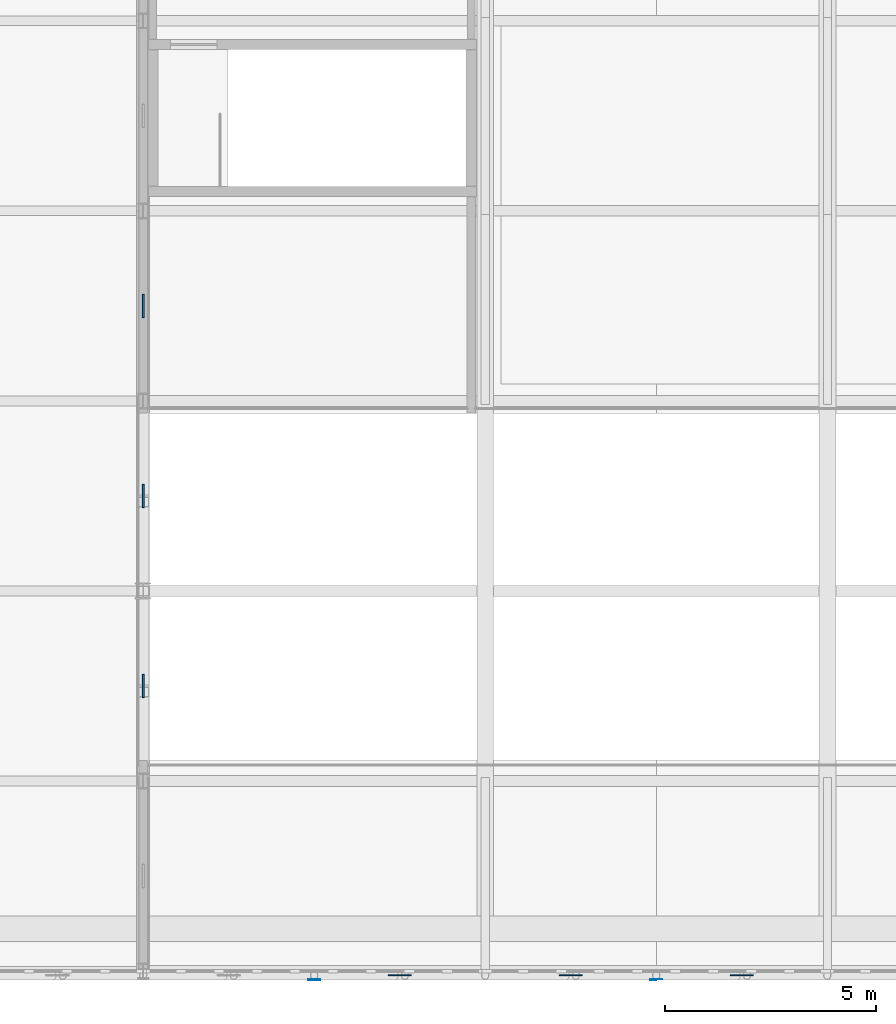
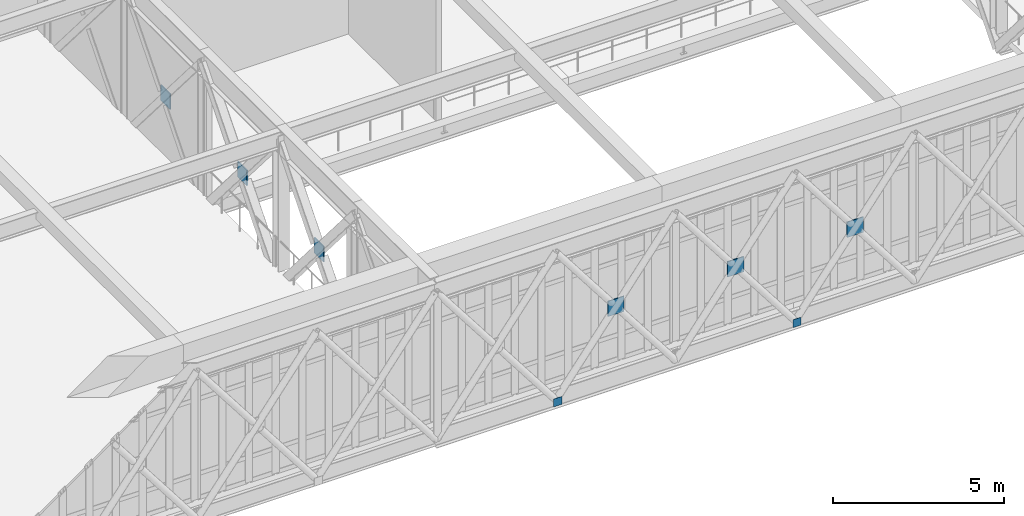
# One storey, part 52 of 70: 8 plates.
"""IFC4 building model written with IfcOpenShell, lengths in metres."""

import ifcopenshell
import ifcopenshell.guid

model = None  # the IFC model being written
_history = None  # IfcOwnerHistory: only IFC2X3 demands one
_inside = {}  # id of a spatial element -> (the spatial element, [elements in it])
_under = {}  # id of a project, library or spatial element -> (it, [spatial elements below it])
_declared = {}  # id of a project -> (the project, [libraries it declares])
_typed = {}  # id of a type object -> (the type object, [elements of that type])
_made_of = {}  # id of a material, layer set ... -> (it, [elements and type objects made of it])


def new_model(schema):
    """Start an empty IFC model of exactly this schema.

    Asked for "IFC4X3", IfcOpenShell would pick the latest addendum, in which some entities
    have other attributes; the version numbers below select the first issue.
    IFC2X3 requires an IfcOwnerHistory on every rooted entity: one is made here for all.
    """
    global model, _history
    if schema == "IFC4X3":
        model = ifcopenshell.file(schema_version=(4, 3, 0, 0))
    else:
        model = ifcopenshell.file(schema=schema)
    _inside.clear()
    _under.clear()
    _declared.clear()
    _typed.clear()
    _made_of.clear()
    _history = None
    if model.schema == "IFC2X3":
        org = make("IfcOrganization", Name="unknown")
        user = make(
            "IfcPersonAndOrganization",
            ThePerson=make("IfcPerson", FamilyName="unknown"),
            TheOrganization=org,
        )
        app = make(
            "IfcApplication",
            ApplicationDeveloper=org,
            Version="unknown",
            ApplicationFullName="unknown",
            ApplicationIdentifier="unknown",
        )
        _history = make(
            "IfcOwnerHistory",
            OwningUser=user,
            OwningApplication=app,
            ChangeAction="ADDED",
            CreationDate=0,
        )
    return model


def make(cls, **values):
    """One entity of the class cls with the attributes given. An attribute that is None is left unset."""
    return model.create_entity(
        cls, **{name: value for name, value in values.items() if value is not None}
    )


def rooted(cls, **values):
    """An entity with a GlobalId (a new one), such as an element, a storey or a relation."""
    return make(cls, GlobalId=ifcopenshell.guid.new(), OwnerHistory=_history, **values)


def si_unit(unit_type, name, prefix=None):
    """IfcSIUnit, for example si_unit("LENGTHUNIT", "METRE", prefix="MILLI")."""
    return make("IfcSIUnit", UnitType=unit_type, Prefix=prefix, Name=name)


def assignment(units):
    """IfcUnitAssignment: the units of a project."""
    return None if units is None else make("IfcUnitAssignment", Units=units)


def point(xyz):
    """IfcCartesianPoint."""
    return None if xyz is None else make("IfcCartesianPoint", Coordinates=xyz)


def direction(xyz):
    """IfcDirection."""
    return None if xyz is None else make("IfcDirection", DirectionRatios=xyz)


def frame(location, z_axis=None, x_axis=None):
    """IfcAxis2Placement3D, a coordinate frame: its origin and axes. An axis left out is left unset."""
    return make(
        "IfcAxis2Placement3D",
        Location=point(location),
        Axis=direction(z_axis),
        RefDirection=direction(x_axis),
    )


def frame_2d(location, x_axis=None):
    """IfcAxis2Placement2D, a coordinate frame in the plane: its origin and x axis."""
    return make(
        "IfcAxis2Placement2D", Location=point(location), RefDirection=direction(x_axis)
    )


def origin():
    """The frame at (0, 0, 0) with its axes left unset."""
    return frame((0.0, 0.0, 0.0))


def origin_2d():
    """The frame at (0, 0) in the plane with its x axis left unset."""
    return frame_2d((0.0, 0.0))


def place(relative_to, where):
    """IfcLocalPlacement: puts the frame where relative to a parent placement (None: the world)."""
    return make(
        "IfcLocalPlacement", PlacementRelTo=relative_to, RelativePlacement=where
    )


def context(
    kind, dimensions, precision=None, world=None, true_north=None, identifier=None
):
    """IfcGeometricRepresentationContext, for example the 3D "Model" context."""
    return make(
        "IfcGeometricRepresentationContext",
        ContextIdentifier=identifier,
        ContextType=kind,
        CoordinateSpaceDimension=dimensions,
        Precision=precision,
        WorldCoordinateSystem=world,
        TrueNorth=true_north,
    )


def subcontext(parent, identifier, kind, view, scale=None):
    """IfcGeometricRepresentationSubContext, for example "Body" below "Model"."""
    return make(
        "IfcGeometricRepresentationSubContext",
        ContextIdentifier=identifier,
        ContextType=kind,
        ParentContext=parent,
        TargetScale=scale,
        TargetView=view,
    )


def project(units=None, contexts=None):
    """IfcProject with its units and contexts."""
    return rooted(
        "IfcProject",
        Name="project",
        RepresentationContexts=contexts,
        UnitsInContext=assignment(units),
    )


def spatial(cls, under=None, at=None, **own):
    """A site, building, storey or space (cls), placed at a placement, below another one or the project."""
    s = rooted(cls, ObjectPlacement=at, **own)
    if under is not None:
        _under.setdefault(under.id(), (under, []))[1].append(s)
    return s


def profile(cls, at=None, kind="AREA", **sizes):
    """A parametric profile (cls). Its sizes go by their IFC names, for example OverallWidth=200.0."""
    return make(cls, ProfileType=kind, Position=at, **sizes)


def rectangle(**sizes):
    """IfcRectangleProfileDef."""
    return profile("IfcRectangleProfileDef", **sizes)


def extrude(swept, where, along, depth):
    """IfcExtrudedAreaSolid: the profile swept, set in the frame where, extruded along a direction by depth."""
    return make(
        "IfcExtrudedAreaSolid",
        SweptArea=swept,
        Position=where,
        ExtrudedDirection=direction(along),
        Depth=depth,
    )


def shape(context_of_items, identifier, shape_type, items):
    """IfcShapeRepresentation: the items that make up one representation, for example the "Body"."""
    return make(
        "IfcShapeRepresentation",
        ContextOfItems=context_of_items,
        RepresentationIdentifier=identifier,
        RepresentationType=shape_type,
        Items=items,
    )


def material(Name=None, Category=None):
    """IfcMaterial."""
    return make("IfcMaterial", Name=Name, Category=Category)


def layer(
    of_material, thickness, ventilated=None, Name=None, Category=None, Priority=None
):
    """IfcMaterialLayer: one layer of a wall or slab, of a material (None: an air gap)."""
    return make(
        "IfcMaterialLayer",
        Material=of_material,
        LayerThickness=thickness,
        IsVentilated=ventilated,
        Name=Name,
        Category=Category,
        Priority=Priority,
    )


def layer_set(layers, Name=None):
    """IfcMaterialLayerSet."""
    return make("IfcMaterialLayerSet", MaterialLayers=layers, LayerSetName=Name)


def made_of(thing, what):
    """Note that an element or type object is made of a material, layer set ...; save() writes the relation."""
    if what is not None:
        _made_of.setdefault(what.id(), (what, []))[1].append(thing)
    return thing


def type_object(cls, material=None, **own):
    """A type object (cls), such as IfcWallType, which elements share."""
    return made_of(rooted(cls, **own), material)


def element(
    cls,
    number,
    at=None,
    inside=None,
    cuts=None,
    type_object=None,
    material=None,
    context=None,
    identifier="Body",
    shape_type=None,
    held_by="IfcProductDefinitionShape",
    body=None,
    shapes=None,
    **own,
):
    """One element of the class cls, such as IfcWall. Its Tag is "e" and its number.

    at: its placement. inside: the storey or other place that contains it. cuts: it is an
    opening in that element (IfcRelVoidsElement). A single representation is given by context,
    identifier, shape_type and body (its items); several are given by shapes. held_by: the class
    of the entity that holds the representations. save() writes the other relations.
    """
    e = rooted(cls, Tag="e%d" % number, ObjectPlacement=at, **own)
    if body is not None:
        shapes = [shape(context, identifier, shape_type, body)]
    if shapes is not None:
        e.Representation = make(held_by, Representations=shapes)
    if inside is not None:
        _inside.setdefault(inside.id(), (inside, []))[1].append(e)
    if cuts is not None:
        rooted(
            "IfcRelVoidsElement", RelatingBuildingElement=cuts, RelatedOpeningElement=e
        )
    if type_object is not None:
        _typed.setdefault(type_object.id(), (type_object, []))[1].append(e)
    return made_of(e, material)


def aggregate(whole, parts):
    """IfcRelAggregates: a whole, such as a stair, and the parts it consists of."""
    return rooted("IfcRelAggregates", RelatingObject=whole, RelatedObjects=parts)


def save(model, path):
    """Write the relations noted so far, then the file.

    IfcRelAggregates (storeys below a building ...), IfcRelContainedInSpatialStructure (elements
    in a storey), IfcRelDefinesByType, IfcRelAssociatesMaterial and IfcRelDeclares: one each for
    every whole, place, type object, material and project.
    """
    for whole, parts in _under.values():
        aggregate(whole, parts)
    for where, things in _inside.values():
        rooted(
            "IfcRelContainedInSpatialStructure",
            RelatedElements=things,
            RelatingStructure=where,
        )
    for kind, things in _typed.values():
        rooted("IfcRelDefinesByType", RelatedObjects=things, RelatingType=kind)
    for what, things in _made_of.values():
        rooted("IfcRelAssociatesMaterial", RelatedObjects=things, RelatingMaterial=what)
    for by, libraries in _declared.values():
        rooted("IfcRelDeclares", RelatingContext=by, RelatedDefinitions=libraries)
    model.write(path)


model = new_model("IFC4")

# Units and contexts
model_context = context("Model", 3, precision=1e-05, world=origin(), true_north=direction((0.0, 1.0)))
body_context = subcontext(model_context, "Body", "Model", "MODEL_VIEW")
ifc_project = project(units=[si_unit("LENGTHUNIT", "METRE"), si_unit("AREAUNIT", "SQUARE_METRE"), si_unit("VOLUMEUNIT", "CUBIC_METRE"), si_unit("PLANEANGLEUNIT", "RADIAN"), si_unit("MASSUNIT", "GRAM", prefix="KILO")], contexts=[model_context])

# Site, building, storey
site_placement = place(None, origin())
site = spatial("IfcSite", under=ifc_project, at=site_placement, CompositionType="ELEMENT")
building_placement = place(site_placement, origin())
building = spatial("IfcBuilding", under=site, at=building_placement, Name="Tarnveldt Square Police Headquarters", CompositionType="ELEMENT")
storey_placement = place(building_placement, frame((0.0, 0.0, 19.800048828125)))
storey = spatial("IfcBuildingStorey", under=building, at=storey_placement, Name="L04", CompositionType="ELEMENT", Elevation=19.800048828125)

# Plates
ifc_material = material(Name="Steel 350W", Category="steel")
ifc_layer_1 = layer(ifc_material, 0.011962890625)
ifc_layer_set_1 = layer_set([ifc_layer_1], Name="Steel 350W")
plate_type_1 = type_object("IfcPlateType", Name="PLT-CAP-12", PredefinedType="USERDEFINED", material=ifc_layer_set_1)
for number, where, z_axis, x_axis, name in (
    (1, (28.35009765625, 6.794921875, -0.783203125), (0.0, 0.0, 1.0), (1.0, 0.0, 0.0), "Node KN-LT1 HSS End Cap Plate S-L04-3"),
    (2, (36.449951171875, 6.794921875, -0.783203125), (0.0, 0.0, 1.0), (1.0, 0.0, 0.0), "Node KN-LT1 HSS End Cap Plate S-L04-4"),
):
    element("IfcPlate", number, at=place(storey_placement, frame(where, z_axis=z_axis, x_axis=x_axis)), inside=storey, type_object=plate_type_1, Name=name, ObjectType="END CAP PLATE", PredefinedType="USERDEFINED", context=body_context, shape_type="SweptSolid", body=[
        extrude(rectangle(XDim=0.280029296875, YDim=0.011962890625, at=origin_2d()), origin(), (0.0, 0.0, 1.0), 0.280029296875),
    ])
ifc_layer_2 = layer(ifc_material, 0.031982421875)
ifc_layer_set_2 = layer_set([ifc_layer_2], Name="Steel 350W")
plate_type_2 = type_object("IfcPlateType", Name="PLT-GUS-32", PredefinedType="SHEET", material=ifc_layer_set_2)
for number, where, z_axis, x_axis, name in (
    (3, (30.375, 6.89990234375, 1.7236328125), (0.0, 0.0, 1.0), (1.0, 0.0, 0.0), "Command Lantern S Lattice Crossing Gusset Plate 3.2"),
    (4, (34.425048828125, 6.89990234375, 1.7236328125), (0.0, 0.0, 1.0), (1.0, 0.0, 0.0), "Command Lantern S Lattice Crossing Gusset Plate 4.1"),
    (5, (38.47509765625, 6.89990234375, 1.7236328125), (0.0, 0.0, 1.0), (1.0, 0.0, 0.0), "Command Lantern S Lattice Crossing Gusset Plate 4.2"),
):
    element("IfcPlate", number, at=place(storey_placement, frame(where, z_axis=z_axis, x_axis=x_axis)), inside=storey, type_object=plate_type_2, Name=name, PredefinedType="SHEET", context=body_context, shape_type="SweptSolid", body=[
        extrude(rectangle(XDim=0.550048828125, YDim=0.031982421875, at=origin_2d()), origin(), (0.0, 0.0, 1.0), 0.550048828125),
    ])
ifc_layer_3 = layer(ifc_material, 0.0419921875)
ifc_layer_set_3 = layer_set([ifc_layer_3], Name="Steel 350W")
plate_type_3 = type_object("IfcPlateType", Name="PLT-GUS-42", PredefinedType="SHEET", material=ifc_layer_set_3)
for number, where, z_axis, x_axis, name in (
    (6, (24.300048828125, 22.75, 1.7236328125), (0.0, 0.0, 1.0), (1.0, 0.0, 0.0), "Cantilever Truss CT-2 L04 Centre Gusset Plate 3"),
    (7, (24.300048828125, 18.25, 1.7236328125), (0.0, 0.0, 1.0), (1.0, 0.0, 0.0), "Cantilever Truss CT-2 L04 Centre Gusset Plate 4"),
    (8, (24.300048828125, 13.75, 1.7236328125), (0.0, 0.0, 1.0), (1.0, 0.0, 0.0), "Cantilever Truss CT-2 L04 Centre Gusset Plate 5"),
):
    element("IfcPlate", number, at=place(storey_placement, frame(where, z_axis=z_axis, x_axis=x_axis)), inside=storey, type_object=plate_type_3, Name=name, PredefinedType="SHEET", context=body_context, shape_type="SweptSolid", body=[
        extrude(rectangle(XDim=0.0419921875, YDim=0.550048828125, at=origin_2d()), origin(), (0.0, 0.0, 1.0), 0.550048828125),
    ])

save(model, "model.ifc")
